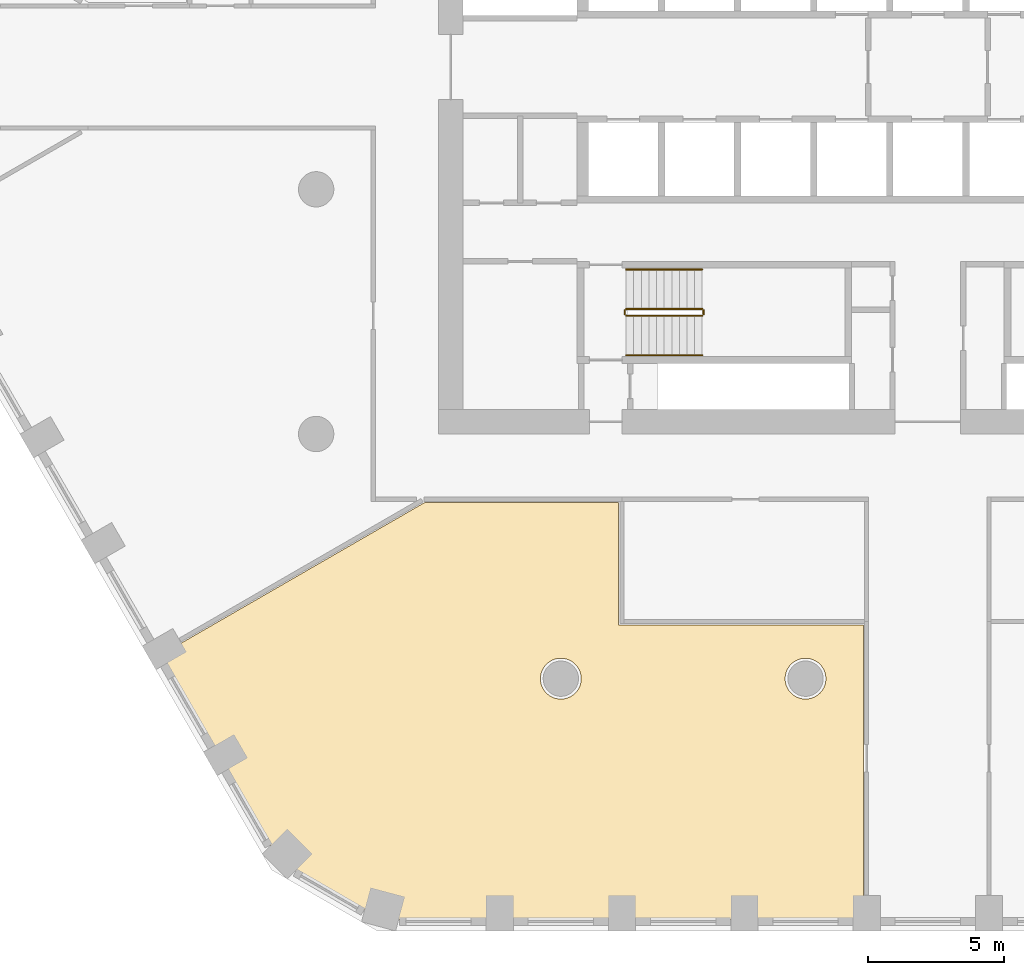
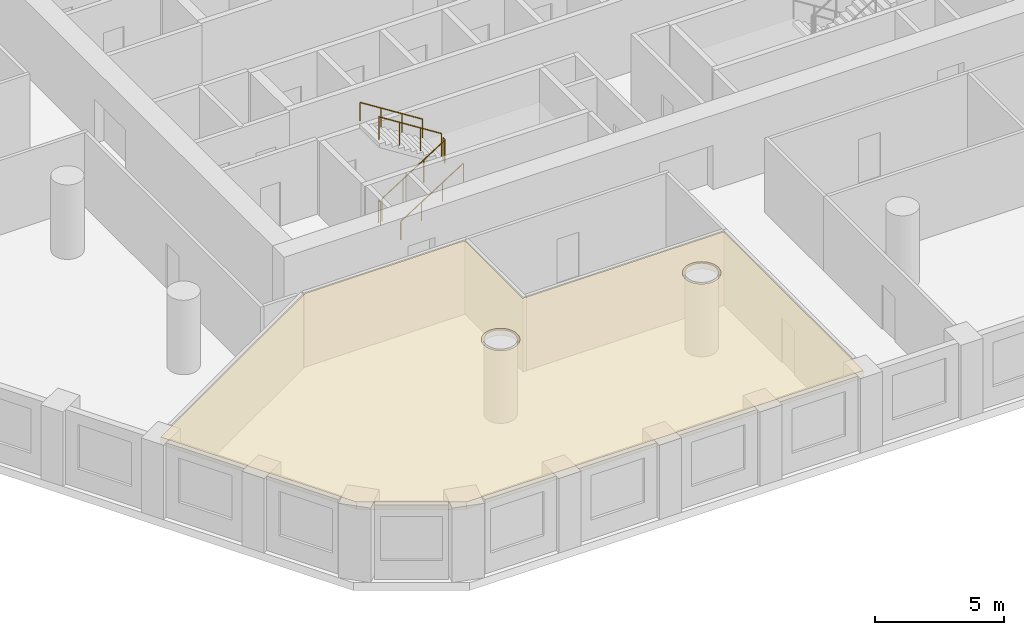
# One storey, part 10 of 14: 6 railings, 1 covering.
"""IFC4 building model written with IfcOpenShell, lengths in metres."""

from ifc_helpers import new_model, si_unit, direction, frame, origin, origin_2d, place, context, subcontext, project, spatial, polyline, circle, outline, extrude, material, layer, layer_set, type_object, element, save


model = new_model("IFC4")

# Units and contexts
model_context = context("Model", 3, precision=1e-05, world=origin(), true_north=direction((0.0, 1.0)))
body_context = subcontext(model_context, "Body", "Model", "MODEL_VIEW")
ifc_project = project(units=[si_unit("LENGTHUNIT", "METRE"), si_unit("AREAUNIT", "SQUARE_METRE"), si_unit("VOLUMEUNIT", "CUBIC_METRE"), si_unit("PLANEANGLEUNIT", "RADIAN"), si_unit("MASSUNIT", "GRAM", prefix="KILO")], contexts=[model_context])

# Site, building, storey
site_placement = place(None, origin())
site = spatial("IfcSite", under=ifc_project, at=site_placement, CompositionType="ELEMENT")
building_placement = place(site_placement, origin())
building = spatial("IfcBuilding", under=site, at=building_placement, Name="Dhurran Vertical Campus", CompositionType="ELEMENT")
storey_placement = place(building_placement, frame((0.0, 0.0, 100.800048828125)))
storey = spatial("IfcBuildingStorey", under=building, at=storey_placement, Name="L24", CompositionType="ELEMENT", Elevation=100.800048828125)

# Railings
ifc_material_1 = material(Name="Stainless steel balustrade", Category="steel")
railing_type_1 = type_object("IfcRailingType", Name="co-RL-GUARD-1100", PredefinedType="GUARDRAIL", material=ifc_material_1)
railing_1_placement = place(storey_placement, frame((-11.10009765625, -9.14990234375, 0.17724609375)))
element("IfcRailing", 1, at=railing_1_placement, inside=storey, type_object=railing_type_1, Name="L24 ST3 stair guard 1", PredefinedType="GUARDRAIL", context=body_context, shape_type="SweptSolid", body=[
    extrude(circle(Radius=0.02392578125, at=origin_2d()), frame((0.0, 0.0, 1.076171875), z_axis=(0.844908973607, 0.0, 0.534910110503), x_axis=(0.0, 1.0, 0.0)), (0.0, 0.0, 1.0), 3.31396484375),
    extrude(circle(Radius=0.02099609375, at=origin_2d()), origin(), (0.0, 0.0, 1.0), 1.052001953125),
    extrude(circle(Radius=0.02099609375, at=origin_2d()), frame((0.933349609375, 0.0, 0.5908203125)), (0.0, 0.0, 1.0), 1.052001953125),
    extrude(circle(Radius=0.02099609375, at=origin_2d()), frame((1.86669921875, 0.0, 1.181884765625)), (0.0, 0.0, 1.0), 1.052001953125),
    extrude(circle(Radius=0.02099609375, at=origin_2d()), frame((2.800048828125, 0.0, 1.772705078125)), (0.0, 0.0, 1.0), 1.052001953125),
])
railing_2_placement = place(storey_placement, frame((-8.25, -9.10009765625, 1.949951171875)))
element("IfcRailing", 2, at=railing_2_placement, inside=storey, type_object=railing_type_1, Name="L24 ST3 stair guard 2", PredefinedType="GUARDRAIL", context=body_context, shape_type="SweptSolid", body=[
    extrude(circle(Radius=0.02392578125, at=origin_2d()), frame((0.0, 0.0, 1.076171875), z_axis=(0.0, 1.0, 0.0), x_axis=(-1.0, 0.0, 0.0)), (0.0, 0.0, 1.0), 0.150146484375),
    extrude(circle(Radius=0.02099609375, at=origin_2d()), origin(), (0.0, 0.0, 1.0), 1.052001953125),
    extrude(circle(Radius=0.02099609375, at=origin_2d()), frame((0.0, 0.150146484375, 0.0)), (0.0, 0.0, 1.0), 1.052001953125),
])
railing_3_placement = place(storey_placement, frame((-8.300048828125, -8.89990234375, 2.127197265625)))
element("IfcRailing", 3, at=railing_3_placement, inside=storey, type_object=railing_type_1, Name="L24 ST3 stair guard 3", PredefinedType="GUARDRAIL", context=body_context, shape_type="SweptSolid", body=[
    extrude(circle(Radius=0.02392578125, at=origin_2d()), frame((0.0, 0.0, 1.076171875), z_axis=(-0.844908973607, 0.0, 0.534910110503), x_axis=(0.0, -1.0, 0.0)), (0.0, 0.0, 1.0), 3.31396484375),
    extrude(circle(Radius=0.02099609375, at=origin_2d()), origin(), (0.0, 0.0, 1.0), 1.052001953125),
    extrude(circle(Radius=0.02099609375, at=origin_2d()), frame((-0.933349609375, 0.0, 0.5908203125)), (0.0, 0.0, 1.0), 1.052001953125),
    extrude(circle(Radius=0.02099609375, at=origin_2d()), frame((-1.86669921875, 0.0, 1.181884765625)), (0.0, 0.0, 1.0), 1.052001953125),
    extrude(circle(Radius=0.02099609375, at=origin_2d()), frame((-2.800048828125, 0.0, 1.772705078125)), (0.0, 0.0, 1.0), 1.052001953125),
])
railing_4_placement = place(storey_placement, frame((-11.14990234375, -9.10009765625, 0.0)))
element("IfcRailing", 4, at=railing_4_placement, inside=storey, type_object=railing_type_1, Name="L24 ST3 stair guard 4", PredefinedType="GUARDRAIL", context=body_context, shape_type="SweptSolid", body=[
    extrude(circle(Radius=0.02392578125, at=origin_2d()), frame((0.0, 0.0, 1.076171875), z_axis=(0.0, 1.0, 0.0), x_axis=(-1.0, 0.0, 0.0)), (0.0, 0.0, 1.0), 0.150146484375),
    extrude(circle(Radius=0.02099609375, at=origin_2d()), origin(), (0.0, 0.0, 1.0), 1.052001953125),
    extrude(circle(Radius=0.02099609375, at=origin_2d()), frame((0.0, 0.150146484375, 0.0)), (0.0, 0.0, 1.0), 1.052001953125),
])
ifc_material_2 = material(Name="Stainless steel handrail", Category="steel")
railing_type_2 = type_object("IfcRailingType", Name="co-RL-HANDRAIL-900", PredefinedType="HANDRAIL", material=ifc_material_2)
railing_5_placement = place(storey_placement, frame((-11.10009765625, -10.60009765625, 0.17724609375)))
element("IfcRailing", 5, at=railing_5_placement, inside=storey, type_object=railing_type_2, Name="L24 ST3 stair handrail 1", PredefinedType="HANDRAIL", context=body_context, shape_type="SweptSolid", body=[
    extrude(circle(Radius=0.02392578125, at=origin_2d()), frame((0.0, 0.0, 0.8759765625), z_axis=(0.844908973607, 0.0, 0.534910110503), x_axis=(0.0, 1.0, 0.0)), (0.0, 0.0, 1.0), 3.31396484375),
    extrude(circle(Radius=0.02099609375, at=origin_2d()), origin(), (0.0, 0.0, 1.0), 0.851806640625),
    extrude(circle(Radius=0.02099609375, at=origin_2d()), frame((0.933349609375, 0.0, 0.5908203125)), (0.0, 0.0, 1.0), 0.851806640625),
    extrude(circle(Radius=0.02099609375, at=origin_2d()), frame((1.86669921875, 0.0, 1.181884765625)), (0.0, 0.0, 1.0), 0.851806640625),
    extrude(circle(Radius=0.02099609375, at=origin_2d()), frame((2.800048828125, 0.0, 1.772705078125)), (0.0, 0.0, 1.0), 0.851806640625),
])
railing_6_placement = place(storey_placement, frame((-8.300048828125, -7.449951171875, 2.127197265625)))
element("IfcRailing", 6, at=railing_6_placement, inside=storey, type_object=railing_type_2, Name="L24 ST3 stair handrail 2", PredefinedType="HANDRAIL", context=body_context, shape_type="SweptSolid", body=[
    extrude(circle(Radius=0.02392578125, at=origin_2d()), frame((0.0, 0.0, 0.8759765625), z_axis=(-0.844908973607, 0.0, 0.534910110503), x_axis=(0.0, -1.0, 0.0)), (0.0, 0.0, 1.0), 3.31396484375),
    extrude(circle(Radius=0.02099609375, at=origin_2d()), origin(), (0.0, 0.0, 1.0), 0.851806640625),
    extrude(circle(Radius=0.02099609375, at=origin_2d()), frame((-0.933349609375, 0.0, 0.5908203125)), (0.0, 0.0, 1.0), 0.851806640625),
    extrude(circle(Radius=0.02099609375, at=origin_2d()), frame((-1.86669921875, 0.0, 1.181884765625)), (0.0, 0.0, 1.0), 0.851806640625),
    extrude(circle(Radius=0.02099609375, at=origin_2d()), frame((-2.800048828125, 0.0, 1.772705078125)), (0.0, 0.0, 1.0), 0.851806640625),
])

# Covering
ifc_material_3 = material(Name="Mineral fibre ceiling tiles on suspended grid")
ifc_layer = layer(ifc_material_3, 0.35009765625)
ifc_layer_set = layer_set([ifc_layer], Name="Mineral fibre ceiling tiles on suspended grid")
covering_type = type_object("IfcCoveringType", Name="fl-CE-350 suspended ceiling", PredefinedType="CEILING", material=ifc_layer_set)
covering_placement = place(storey_placement, frame((0.0, 0.0, 3.175048828125)))
element("IfcCovering", 7, at=covering_placement, inside=storey, type_object=covering_type, Name="Ceiling 24-10", PredefinedType="CEILING", context=body_context, shape_type="SweptSolid", body=[
    extrude(outline(polyline([(-2.3701171875, -20.52001953125), (-2.3701171875, -31.360107421875), (-20.137939453125, -31.360107421875), (-23.839111328125, -29.221923828125), (-28.222900390625, -21.6298828125), (-18.508056640625, -16.02001953125), (-11.3701171875, -16.02001953125), (-11.3701171875, -20.52001953125), (-2.3701171875, -20.52001953125)]), holes=[polyline([(-13.212890625, -21.806884765625), (-13.281982421875, -21.781982421875), (-13.35400390625, -21.763916015625), (-13.426025390625, -21.75390625), (-13.5, -21.75), (-13.573974609375, -21.75390625), (-13.64599609375, -21.763916015625), (-13.718017578125, -21.781982421875), (-13.787109375, -21.806884765625), (-13.85400390625, -21.839111328125), (-13.9169921875, -21.8759765625), (-13.97607421875, -21.919921875), (-14.030029296875, -21.969970703125), (-14.080078125, -22.02392578125), (-14.1240234375, -22.0830078125), (-14.160888671875, -22.14599609375), (-14.193115234375, -22.212890625), (-14.218017578125, -22.281982421875), (-14.236083984375, -22.35400390625), (-14.24609375, -22.426025390625), (-14.25, -22.5), (-14.24609375, -22.573974609375), (-14.236083984375, -22.64599609375), (-14.218017578125, -22.718017578125), (-14.193115234375, -22.787109375), (-14.160888671875, -22.85400390625), (-14.1240234375, -22.9169921875), (-14.080078125, -22.97607421875), (-14.030029296875, -23.030029296875), (-13.97607421875, -23.080078125), (-13.9169921875, -23.1240234375), (-13.85400390625, -23.160888671875), (-13.787109375, -23.193115234375), (-13.718017578125, -23.218017578125), (-13.64599609375, -23.236083984375), (-13.573974609375, -23.24609375), (-13.5, -23.25), (-13.426025390625, -23.24609375), (-13.35400390625, -23.236083984375), (-13.281982421875, -23.218017578125), (-13.212890625, -23.193115234375), (-13.14599609375, -23.160888671875), (-13.0830078125, -23.1240234375), (-13.02392578125, -23.080078125), (-12.969970703125, -23.030029296875), (-12.919921875, -22.97607421875), (-12.8759765625, -22.9169921875), (-12.839111328125, -22.85400390625), (-12.806884765625, -22.787109375), (-12.781982421875, -22.718017578125), (-12.763916015625, -22.64599609375), (-12.75390625, -22.573974609375), (-12.75, -22.5), (-12.75390625, -22.426025390625), (-12.763916015625, -22.35400390625), (-12.781982421875, -22.281982421875), (-12.806884765625, -22.212890625), (-12.839111328125, -22.14599609375), (-12.8759765625, -22.0830078125), (-12.919921875, -22.02392578125), (-12.969970703125, -21.969970703125), (-13.02392578125, -21.919921875), (-13.0830078125, -21.8759765625), (-13.14599609375, -21.839111328125), (-13.212890625, -21.806884765625)]), polyline([(-4.0830078125, -21.8759765625), (-4.14599609375, -21.839111328125), (-4.212890625, -21.806884765625), (-4.281982421875, -21.781982421875), (-4.35400390625, -21.763916015625), (-4.426025390625, -21.75390625), (-4.5, -21.75), (-4.573974609375, -21.75390625), (-4.64599609375, -21.763916015625), (-4.718017578125, -21.781982421875), (-4.787109375, -21.806884765625), (-4.85400390625, -21.839111328125), (-4.9169921875, -21.8759765625), (-4.97607421875, -21.919921875), (-5.030029296875, -21.969970703125), (-5.080078125, -22.02392578125), (-5.1240234375, -22.0830078125), (-5.160888671875, -22.14599609375), (-5.193115234375, -22.212890625), (-5.218017578125, -22.281982421875), (-5.236083984375, -22.35400390625), (-5.24609375, -22.426025390625), (-5.25, -22.5), (-5.24609375, -22.573974609375), (-5.236083984375, -22.64599609375), (-5.218017578125, -22.718017578125), (-5.193115234375, -22.787109375), (-5.160888671875, -22.85400390625), (-5.1240234375, -22.9169921875), (-5.080078125, -22.97607421875), (-5.030029296875, -23.030029296875), (-4.97607421875, -23.080078125), (-4.9169921875, -23.1240234375), (-4.85400390625, -23.160888671875), (-4.787109375, -23.193115234375), (-4.718017578125, -23.218017578125), (-4.64599609375, -23.236083984375), (-4.573974609375, -23.24609375), (-4.5, -23.25), (-4.426025390625, -23.24609375), (-4.35400390625, -23.236083984375), (-4.281982421875, -23.218017578125), (-4.212890625, -23.193115234375), (-4.14599609375, -23.160888671875), (-4.0830078125, -23.1240234375), (-4.02392578125, -23.080078125), (-3.969970703125, -23.030029296875), (-3.919921875, -22.97607421875), (-3.8759765625, -22.9169921875), (-3.839111328125, -22.85400390625), (-3.806884765625, -22.787109375), (-3.781982421875, -22.718017578125), (-3.763916015625, -22.64599609375), (-3.75390625, -22.573974609375), (-3.75, -22.5), (-3.75390625, -22.426025390625), (-3.763916015625, -22.35400390625), (-3.781982421875, -22.281982421875), (-3.806884765625, -22.212890625), (-3.839111328125, -22.14599609375), (-3.8759765625, -22.0830078125), (-3.919921875, -22.02392578125), (-3.969970703125, -21.969970703125), (-4.02392578125, -21.919921875), (-4.0830078125, -21.8759765625)])]), origin(), (0.0, 0.0, 1.0), 0.349853515625),
])

save(model, "model.ifc")
